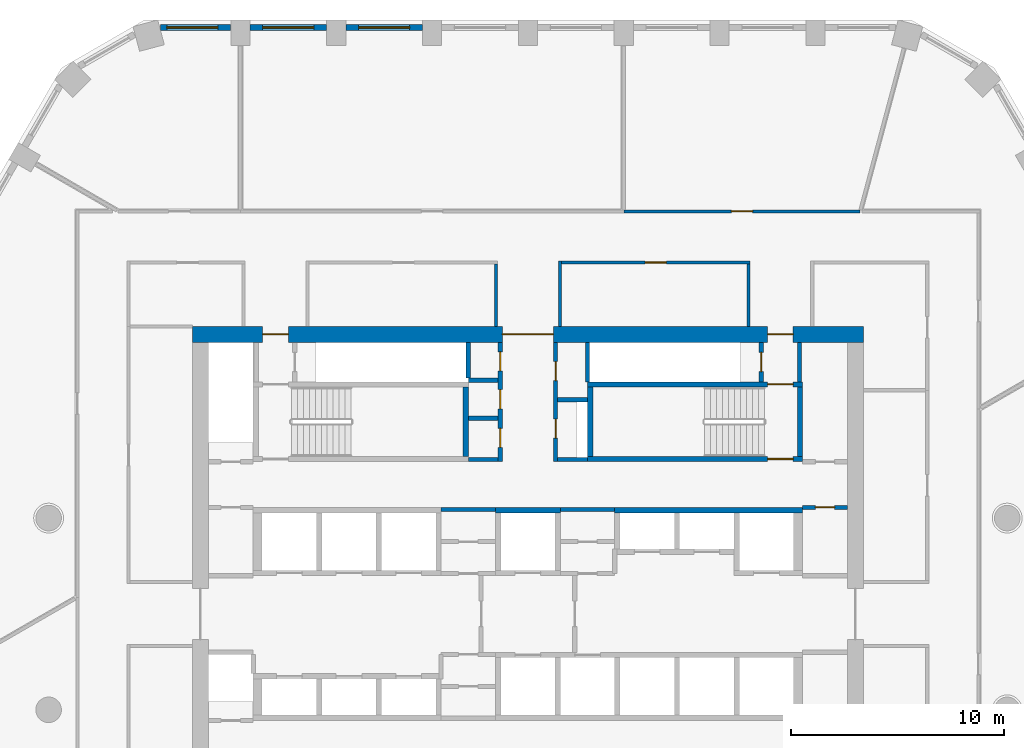
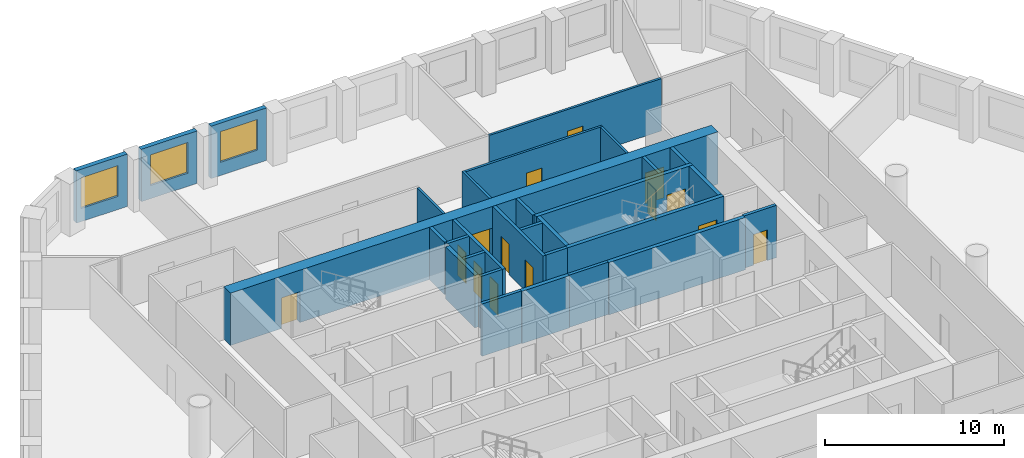
# One storey, part 7 of 14: 30 walls, 14 doors, 3 windows, 17 openings.
"""IFC4 building model written with IfcOpenShell, lengths in metres."""

from ifc_helpers import new_model, si_unit, direction, frame, frame_2d, origin, place, context, subcontext, project, spatial, polyline, rectangle, outline, extrude, material, layer, layer_set, type_object, element, fill, save


model = new_model("IFC4")

# Units and contexts
model_context = context("Model", 3, precision=1e-05, world=origin(), true_north=direction((0.0, 1.0)))
body_context = subcontext(model_context, "Body", "Model", "MODEL_VIEW")
ifc_project = project(units=[si_unit("LENGTHUNIT", "METRE"), si_unit("AREAUNIT", "SQUARE_METRE"), si_unit("VOLUMEUNIT", "CUBIC_METRE"), si_unit("PLANEANGLEUNIT", "RADIAN"), si_unit("MASSUNIT", "GRAM", prefix="KILO")], contexts=[model_context])

# Site, building, storey
site_placement = place(None, origin())
site = spatial("IfcSite", under=ifc_project, at=site_placement, CompositionType="ELEMENT")
building_placement = place(site_placement, origin())
building = spatial("IfcBuilding", under=site, at=building_placement, Name="Dhurran Vertical Campus", CompositionType="ELEMENT")
storey_placement = place(building_placement, frame((0.0, 0.0, 136.5)))
storey = spatial("IfcBuildingStorey", under=building, at=storey_placement, Name="L33", CompositionType="ELEMENT", Elevation=136.5)

# Wall, opening, window
ifc_material_1 = material(Name="Precast concrete C50/60", Category="concrete")
ifc_layer_1 = layer(ifc_material_1, 0.300048828125)
ifc_layer_set_1 = layer_set([ifc_layer_1], Name="Precast concrete C50/60")
wall_type_1 = type_object("IfcWallType", Name="Precast spandrel wall 300", PredefinedType="SOLIDWALL", material=ifc_layer_set_1)
wall_1_placement = place(storey_placement, frame((-4.950439453125, 27.53271484375, 0.0), z_axis=(0.0, 0.0, 1.0), x_axis=(-1.0, 0.0, 0.0)))
wall_1 = element("IfcWall", 1, at=wall_1_placement, inside=storey, type_object=wall_type_1, Name="EW1 L33.28", PredefinedType="SOLIDWALL", context=body_context, shape_type="SweptSolid", body=[
    extrude(rectangle(XDim=3.59912109375, YDim=0.300048828125, at=frame_2d((1.799560546875, 0.0))), origin(), (0.0, 0.0, 1.0), 3.574951171875),
])
opening_1_placement = place(wall_1_placement, frame((0.599609375, 0.0, 0.89990234375)))
opening_1 = element("IfcOpeningElement", 2, at=opening_1_placement, cuts=wall_1, Name="Opening WT1", PredefinedType="OPENING", context=body_context, shape_type="SweptSolid", body=[
    extrude(rectangle(XDim=2.39990234375, YDim=2.10009765625, at=frame_2d((1.199951171875, 1.050048828125))), frame((0.0, 0.159912109375, 0.0), z_axis=(0.0, -1.0, 0.0), x_axis=(1.0, 0.0, 0.0)), (0.0, 0.0, 1.0), 0.320068359375),
])
ifc_material_2 = material(Name="Aluminium frame with solar-control glass", Category="aluminium")
window_type = type_object("IfcWindowType", Name="Punched window 2400 x 2100", PartitioningType="SINGLE_PANEL", PredefinedType="WINDOW", material=ifc_material_2)
window_1_placement = place(opening_1_placement, origin())
window_1 = element("IfcWindow", 3, at=window_1_placement, inside=storey, type_object=window_type, Name="WT1 L33.28", OverallHeight=2.10009765625, OverallWidth=2.39990234375, PartitioningType="SINGLE_PANEL", PredefinedType="WINDOW", context=body_context, shape_type="SweptSolid", body=[
    extrude(rectangle(XDim=2.39990234375, YDim=2.10009765625, at=frame_2d((1.199951171875, 1.050048828125))), frame((0.0, 0.030029296875, 0.0), z_axis=(0.0, -1.0, 0.0), x_axis=(1.0, 0.0, 0.0)), (0.0, 0.0, 1.0), 0.06005859375),
])
fill(opening_1, window_1)

wall_2_placement = place(storey_placement, frame((-9.450439453125, 27.53271484375, 0.0), z_axis=(0.0, 0.0, 1.0), x_axis=(-1.0, 0.0, 0.0)))
wall_2 = element("IfcWall", 4, at=wall_2_placement, inside=storey, type_object=wall_type_1, Name="EW1 L33.29", PredefinedType="SOLIDWALL", context=body_context, shape_type="SweptSolid", body=[
    extrude(rectangle(XDim=3.59912109375, YDim=0.300048828125, at=frame_2d((1.799560546875, 0.0))), origin(), (0.0, 0.0, 1.0), 3.574951171875),
])
opening_2_placement = place(wall_2_placement, frame((0.599609375, 0.0, 0.89990234375)))
opening_2 = element("IfcOpeningElement", 5, at=opening_2_placement, cuts=wall_2, Name="Opening WT1", PredefinedType="OPENING", context=body_context, shape_type="SweptSolid", body=[
    extrude(rectangle(XDim=2.39990234375, YDim=2.10009765625, at=frame_2d((1.199951171875, 1.050048828125))), frame((0.0, 0.159912109375, 0.0), z_axis=(0.0, -1.0, 0.0), x_axis=(1.0, 0.0, 0.0)), (0.0, 0.0, 1.0), 0.320068359375),
])
window_2_placement = place(opening_2_placement, origin())
window_2 = element("IfcWindow", 6, at=window_2_placement, inside=storey, type_object=window_type, Name="WT1 L33.29", OverallHeight=2.10009765625, OverallWidth=2.39990234375, PartitioningType="SINGLE_PANEL", PredefinedType="WINDOW", context=body_context, shape_type="SweptSolid", body=[
    extrude(rectangle(XDim=2.39990234375, YDim=2.10009765625, at=frame_2d((1.199951171875, 1.050048828125))), frame((0.0, 0.030029296875, 0.0), z_axis=(0.0, -1.0, 0.0), x_axis=(1.0, 0.0, 0.0)), (0.0, 0.0, 1.0), 0.06005859375),
])
fill(opening_2, window_2)

wall_3_placement = place(storey_placement, frame((-13.950439453125, 27.53271484375, 0.0), z_axis=(0.0, 0.0, 1.0), x_axis=(-1.0, 0.0, 0.0)))
wall_3 = element("IfcWall", 7, at=wall_3_placement, inside=storey, type_object=wall_type_1, Name="EW1 L33.30", PredefinedType="SOLIDWALL", context=body_context, shape_type="SweptSolid", body=[
    extrude(rectangle(XDim=3.294189453125, YDim=0.300048828125, at=frame_2d((1.64697265625, 0.0))), origin(), (0.0, 0.0, 1.0), 3.574951171875),
])
opening_3_placement = place(wall_3_placement, frame((0.599609375, 0.0, 0.89990234375)))
opening_3 = element("IfcOpeningElement", 8, at=opening_3_placement, cuts=wall_3, Name="Opening WT1", PredefinedType="OPENING", context=body_context, shape_type="SweptSolid", body=[
    extrude(rectangle(XDim=2.39990234375, YDim=2.10009765625, at=frame_2d((1.199951171875, 1.050048828125))), frame((0.0, 0.159912109375, 0.0), z_axis=(0.0, -1.0, 0.0), x_axis=(1.0, 0.0, 0.0)), (0.0, 0.0, 1.0), 0.320068359375),
])
window_3_placement = place(opening_3_placement, origin())
window_3 = element("IfcWindow", 9, at=window_3_placement, inside=storey, type_object=window_type, Name="WT1 L33.30", OverallHeight=2.10009765625, OverallWidth=2.39990234375, PartitioningType="SINGLE_PANEL", PredefinedType="WINDOW", context=body_context, shape_type="SweptSolid", body=[
    extrude(rectangle(XDim=2.39990234375, YDim=2.10009765625, at=frame_2d((1.199951171875, 1.050048828125))), frame((0.0, 0.030029296875, 0.0), z_axis=(0.0, -1.0, 0.0), x_axis=(1.0, 0.0, 0.0)), (0.0, 0.0, 1.0), 0.06005859375),
])
fill(opening_3, window_3)

# Wall, openings, doors
ifc_material_3 = material(Name="Concrete C60/75", Category="concrete")
ifc_layer_2 = layer(ifc_material_3, 0.75)
ifc_layer_set_2 = layer_set([ifc_layer_2], Name="Concrete C60/75")
wall_type_2 = type_object("IfcWallType", Name="co-CORE-WALL-C1-750", PredefinedType="SHEAR", material=ifc_layer_set_2)
wall_4_placement = place(storey_placement, frame((-15.75, 13.125, 0.0), z_axis=(0.0, 0.0, 1.0), x_axis=(1.0, 0.0, 0.0)))
wall_4 = element("IfcWall", 10, at=wall_4_placement, inside=storey, type_object=wall_type_2, Name="Core wall N L33", PredefinedType="SHEAR", context=body_context, shape_type="SweptSolid", body=[
    extrude(rectangle(XDim=31.5, YDim=0.75, at=frame_2d((15.75, 0.0))), origin(), (0.0, 0.0, 1.0), 3.574951171875),
])
opening_4_placement = place(wall_4_placement, frame((14.550048828125, 0.0, 0.0)))
opening_4 = element("IfcOpeningElement", 11, at=opening_4_placement, cuts=wall_4, Name="Opening CV1", PredefinedType="OPENING", context=body_context, shape_type="SweptSolid", body=[
    extrude(rectangle(XDim=2.39990234375, YDim=2.10009765625, at=frame_2d((1.199951171875, 1.050048828125))), frame((0.0, 0.385009765625, 0.0), z_axis=(0.0, -1.0, 0.0), x_axis=(1.0, 0.0, 0.0)), (0.0, 0.0, 1.0), 0.77001953125),
])
opening_5_placement = place(wall_4_placement, frame((3.300048828125, 0.0, 0.0)))
opening_5 = element("IfcOpeningElement", 12, at=opening_5_placement, cuts=wall_4, Name="Opening XD1", PredefinedType="OPENING", context=body_context, shape_type="SweptSolid", body=[
    extrude(rectangle(XDim=1.199951171875, YDim=2.10009765625, at=frame_2d((0.60009765625, 1.050048828125))), frame((0.0, 0.385009765625, 0.0), z_axis=(0.0, -1.0, 0.0), x_axis=(1.0, 0.0, 0.0)), (0.0, 0.0, 1.0), 0.77001953125),
])
opening_6_placement = place(wall_4_placement, frame((27.0, 0.0, 0.0)))
opening_6 = element("IfcOpeningElement", 13, at=opening_6_placement, cuts=wall_4, Name="Opening XD2", PredefinedType="OPENING", context=body_context, shape_type="SweptSolid", body=[
    extrude(rectangle(XDim=1.199951171875, YDim=2.10009765625, at=frame_2d((0.60009765625, 1.050048828125))), frame((0.0, 0.385009765625, 0.0), z_axis=(0.0, -1.0, 0.0), x_axis=(1.0, 0.0, 0.0)), (0.0, 0.0, 1.0), 0.77001953125),
])
ifc_material_4 = material(Name="Fire-rated glazed door set")
door_type_1 = type_object("IfcDoorType", Name="co-D-LOBBY 2400x2100", OperationType="DOUBLE_DOOR_DOUBLE_SWING", PredefinedType="DOOR", material=ifc_material_4)
door_1_placement = place(opening_4_placement, origin())
door_1 = element("IfcDoor", 14, at=door_1_placement, inside=storey, type_object=door_type_1, Name="Core vestibule door N L33", OperationType="DOUBLE_DOOR_DOUBLE_SWING", OverallHeight=2.10009765625, OverallWidth=2.39990234375, PredefinedType="DOOR", context=body_context, shape_type="SweptSolid", body=[
    extrude(rectangle(XDim=2.39990234375, YDim=2.10009765625, at=frame_2d((1.199951171875, 1.050048828125))), frame((0.0, 0.02490234375, 0.0), z_axis=(0.0, -1.0, 0.0), x_axis=(1.0, 0.0, 0.0)), (0.0, 0.0, 1.0), 0.050048828125),
])
fill(opening_4, door_1)
ifc_material_5 = material(Name="Fire-rated steel door set", Category="steel")
door_type_2 = type_object("IfcDoorType", Name="co-D-STAIR-EXIT 1200x2100", OperationType="SINGLE_SWING_RIGHT", PredefinedType="DOOR", material=ifc_material_5)
door_2_placement = place(opening_5_placement, origin())
door_2 = element("IfcDoor", 15, at=door_2_placement, inside=storey, type_object=door_type_2, Name="Stair ST1 exit door L33", OperationType="SINGLE_SWING_RIGHT", OverallHeight=2.10009765625, OverallWidth=1.199951171875, PredefinedType="DOOR", context=body_context, shape_type="SweptSolid", body=[
    extrude(rectangle(XDim=1.199951171875, YDim=2.10009765625, at=frame_2d((0.60009765625, 1.050048828125))), frame((0.0, 0.02490234375, 0.0), z_axis=(0.0, -1.0, 0.0), x_axis=(1.0, 0.0, 0.0)), (0.0, 0.0, 1.0), 0.050048828125),
])
fill(opening_5, door_2)
door_3_placement = place(opening_6_placement, origin())
door_3 = element("IfcDoor", 16, at=door_3_placement, inside=storey, type_object=door_type_2, Name="Stair ST2 exit door L33", OperationType="SINGLE_SWING_RIGHT", OverallHeight=2.10009765625, OverallWidth=1.199951171875, PredefinedType="DOOR", context=body_context, shape_type="SweptSolid", body=[
    extrude(rectangle(XDim=1.199951171875, YDim=2.10009765625, at=frame_2d((0.60009765625, 1.050048828125))), frame((0.0, 0.02490234375, 0.0), z_axis=(0.0, -1.0, 0.0), x_axis=(1.0, 0.0, 0.0)), (0.0, 0.0, 1.0), 0.050048828125),
])
fill(opening_6, door_3)

# Walls
ifc_material_6 = material(Name="Fire-rated masonry blockwork", Category="masonry")
ifc_layer_3 = layer(ifc_material_6, 0.199951171875)
ifc_layer_set_3 = layer_set([ifc_layer_3], Name="Fire-rated masonry blockwork")
wall_type_3 = type_object("IfcWallType", Name="co-FIRE-PARTITION-200", PredefinedType="PARTITIONING", material=ifc_layer_set_3)
for number, where, z_axis, x_axis, name in (
    (17, (-2.800048828125, 7.25, 0.0), (0.0, 0.0, 1.0), (1.0, 0.0, 0.0), "Core partition sl-NW-S L33"),
    (18, (-2.800048828125, 9.18603515625, 0.0), (0.0, 0.0, 1.0), (1.0, 0.0, 0.0), "Core partition sl-NW-cut0 L33"),
    (19, (-2.800048828125, 10.968017578125, 0.0), (0.0, 0.0, 1.0), (1.0, 0.0, 0.0), "Core partition sl-NW-cut1 L33"),
    (20, (1.39990234375, 7.25, 0.0), (0.0, 0.0, 1.0), (1.0, 0.0, 0.0), "Core partition sl-NE-S L33"),
    (21, (1.39990234375, 10.050048828125, 0.0), (0.0, 0.0, 1.0), (1.0, 0.0, 0.0), "Core partition sl-NE-cut0 L33"),
):
    element("IfcWall", number, at=place(storey_placement, frame(where, z_axis=z_axis, x_axis=x_axis)), inside=storey, type_object=wall_type_3, Name=name, PredefinedType="PARTITIONING", context=body_context, shape_type="SweptSolid", body=[
        extrude(rectangle(XDim=1.400146484375, YDim=0.199951171875, at=frame_2d((0.7001953125, 0.0))), origin(), (0.0, 0.0, 1.0), 3.574951171875),
    ])

# Wall, openings, doors
wall_5_placement = place(storey_placement, frame((-1.300048828125, 7.14990234375, 0.0), z_axis=(0.0, 0.0, 1.0), x_axis=(0.0, 1.0, 0.0)))
wall_5 = element("IfcWall", 22, at=wall_5_placement, inside=storey, type_object=wall_type_3, Name="Core partition vest-NW L33", PredefinedType="PARTITIONING", context=body_context, shape_type="SweptSolid", body=[
    extrude(rectangle(XDim=5.60009765625, YDim=0.199951171875, at=frame_2d((2.800048828125, 0.0))), origin(), (0.0, 0.0, 1.0), 3.574951171875),
])
opening_7_placement = place(wall_5_placement, frame((0.66796875, 0.0, 0.0)))
opening_7 = element("IfcOpeningElement", 23, at=opening_7_placement, cuts=wall_5, Name="Opening T09-C6", PredefinedType="OPENING", context=body_context, shape_type="SweptSolid", body=[
    extrude(rectangle(XDim=0.89990234375, YDim=2.10009765625, at=frame_2d((0.449951171875, 1.050048828125))), frame((0.0, 0.10986328125, 0.0), z_axis=(0.0, -1.0, 0.0), x_axis=(1.0, 0.0, 0.0)), (0.0, 0.0, 1.0), 0.219970703125),
])
opening_8_placement = place(wall_5_placement, frame((2.47705078125, 0.0, 0.0)))
opening_8 = element("IfcOpeningElement", 24, at=opening_8_placement, cuts=wall_5, Name="Opening T09-C7", PredefinedType="OPENING", context=body_context, shape_type="SweptSolid", body=[
    extrude(rectangle(XDim=0.89990234375, YDim=2.10009765625, at=frame_2d((0.449951171875, 1.050048828125))), frame((0.0, 0.10986328125, 0.0), z_axis=(0.0, -1.0, 0.0), x_axis=(1.0, 0.0, 0.0)), (0.0, 0.0, 1.0), 0.219970703125),
])
opening_9_placement = place(wall_5_placement, frame((4.259033203125, 0.0, 0.0)))
opening_9 = element("IfcOpeningElement", 25, at=opening_9_placement, cuts=wall_5, Name="Opening T09-C8", PredefinedType="OPENING", context=body_context, shape_type="SweptSolid", body=[
    extrude(rectangle(XDim=0.89990234375, YDim=2.10009765625, at=frame_2d((0.449951171875, 1.050048828125))), frame((0.0, 0.10986328125, 0.0), z_axis=(0.0, -1.0, 0.0), x_axis=(1.0, 0.0, 0.0)), (0.0, 0.0, 1.0), 0.219970703125),
])
ifc_material_7 = material(Name="Fire-rated timber door set", Category="wood")
door_type_3 = type_object("IfcDoorType", Name="co-D-ROOM 900x2100", OperationType="SINGLE_SWING_LEFT", PredefinedType="DOOR", material=ifc_material_7)
door_4_placement = place(opening_7_placement, origin())
door_4 = element("IfcDoor", 26, at=door_4_placement, inside=storey, type_object=door_type_3, Name="Cleaner's store door L33", OperationType="SINGLE_SWING_LEFT", OverallHeight=2.10009765625, OverallWidth=0.89990234375, PredefinedType="DOOR", context=body_context, shape_type="SweptSolid", body=[
    extrude(rectangle(XDim=0.89990234375, YDim=2.10009765625, at=frame_2d((0.449951171875, 1.050048828125))), frame((0.0, 0.02490234375, 0.0), z_axis=(0.0, -1.0, 0.0), x_axis=(1.0, 0.0, 0.0)), (0.0, 0.0, 1.0), 0.050048828125),
])
fill(opening_7, door_4)
door_5_placement = place(opening_8_placement, origin())
door_5 = element("IfcDoor", 27, at=door_5_placement, inside=storey, type_object=door_type_3, Name="Store door L33", OperationType="SINGLE_SWING_LEFT", OverallHeight=2.10009765625, OverallWidth=0.89990234375, PredefinedType="DOOR", context=body_context, shape_type="SweptSolid", body=[
    extrude(rectangle(XDim=0.89990234375, YDim=2.10009765625, at=frame_2d((0.449951171875, 1.050048828125))), frame((0.0, 0.02490234375, 0.0), z_axis=(0.0, -1.0, 0.0), x_axis=(1.0, 0.0, 0.0)), (0.0, 0.0, 1.0), 0.050048828125),
])
fill(opening_8, door_5)
door_6_placement = place(opening_9_placement, origin())
door_6 = element("IfcDoor", 28, at=door_6_placement, inside=storey, type_object=door_type_3, Name="Housekeeping store door L33", OperationType="SINGLE_SWING_LEFT", OverallHeight=2.10009765625, OverallWidth=0.89990234375, PredefinedType="DOOR", context=body_context, shape_type="SweptSolid", body=[
    extrude(rectangle(XDim=0.89990234375, YDim=2.10009765625, at=frame_2d((0.449951171875, 1.050048828125))), frame((0.0, 0.02490234375, 0.0), z_axis=(0.0, -1.0, 0.0), x_axis=(1.0, 0.0, 0.0)), (0.0, 0.0, 1.0), 0.050048828125),
])
fill(opening_9, door_6)

wall_6_placement = place(storey_placement, frame((1.300048828125, 7.14990234375, 0.0), z_axis=(0.0, 0.0, 1.0), x_axis=(0.0, 1.0, 0.0)))
wall_6 = element("IfcWall", 29, at=wall_6_placement, inside=storey, type_object=wall_type_3, Name="Core partition vest-NE L33", PredefinedType="PARTITIONING", context=body_context, shape_type="SweptSolid", body=[
    extrude(rectangle(XDim=5.60009765625, YDim=0.199951171875, at=frame_2d((2.800048828125, 0.0))), origin(), (0.0, 0.0, 1.0), 3.574951171875),
])
opening_10_placement = place(wall_6_placement, frame((1.10009765625, 0.0, 0.0)))
opening_10 = element("IfcOpeningElement", 30, at=opening_10_placement, cuts=wall_6, Name="Opening T09-C9", PredefinedType="OPENING", context=body_context, shape_type="SweptSolid", body=[
    extrude(rectangle(XDim=0.89990234375, YDim=2.10009765625, at=frame_2d((0.449951171875, 1.050048828125))), frame((0.0, 0.10986328125, 0.0), z_axis=(0.0, -1.0, 0.0), x_axis=(1.0, 0.0, 0.0)), (0.0, 0.0, 1.0), 0.219970703125),
])
opening_11_placement = place(wall_6_placement, frame((3.800048828125, 0.0, 0.0)))
opening_11 = element("IfcOpeningElement", 31, at=opening_11_placement, cuts=wall_6, Name="Opening T09-C10", PredefinedType="OPENING", context=body_context, shape_type="SweptSolid", body=[
    extrude(rectangle(XDim=0.89990234375, YDim=2.10009765625, at=frame_2d((0.449951171875, 1.050048828125))), frame((0.0, 0.10986328125, 0.0), z_axis=(0.0, -1.0, 0.0), x_axis=(1.0, 0.0, 0.0)), (0.0, 0.0, 1.0), 0.219970703125),
])
door_7_placement = place(opening_10_placement, origin())
door_7 = element("IfcDoor", 32, at=door_7_placement, inside=storey, type_object=door_type_3, Name="Water riser door L33", OperationType="SINGLE_SWING_LEFT", OverallHeight=2.10009765625, OverallWidth=0.89990234375, PredefinedType="DOOR", context=body_context, shape_type="SweptSolid", body=[
    extrude(rectangle(XDim=0.89990234375, YDim=2.10009765625, at=frame_2d((0.449951171875, 1.050048828125))), frame((0.0, 0.02490234375, 0.0), z_axis=(0.0, -1.0, 0.0), x_axis=(1.0, 0.0, 0.0)), (0.0, 0.0, 1.0), 0.050048828125),
])
fill(opening_10, door_7)
door_8_placement = place(opening_11_placement, origin())
door_8 = element("IfcDoor", 33, at=door_8_placement, inside=storey, type_object=door_type_3, Name="Plant room door L33", OperationType="SINGLE_SWING_LEFT", OverallHeight=2.10009765625, OverallWidth=0.89990234375, PredefinedType="DOOR", context=body_context, shape_type="SweptSolid", body=[
    extrude(rectangle(XDim=0.89990234375, YDim=2.10009765625, at=frame_2d((0.449951171875, 1.050048828125))), frame((0.0, 0.02490234375, 0.0), z_axis=(0.0, -1.0, 0.0), x_axis=(1.0, 0.0, 0.0)), (0.0, 0.0, 1.0), 0.050048828125),
])
fill(opening_11, door_8)

# Wall
wall_7_placement = place(storey_placement, frame((12.75, 10.89990234375, 0.0), z_axis=(0.0, 0.0, 1.0), x_axis=(0.0, 1.0, 0.0)))
element("IfcWall", 34, at=wall_7_placement, inside=storey, type_object=wall_type_3, Name="Core partition pass-ST2-o L33", PredefinedType="PARTITIONING", context=body_context, shape_type="SweptSolid", body=[
    extrude(rectangle(XDim=1.85009765625, YDim=0.199951171875, at=frame_2d((0.925048828125, 0.0))), origin(), (0.0, 0.0, 1.0), 3.574951171875),
])

# Wall, opening, door
wall_8_placement = place(storey_placement, frame((10.949951171875, 10.89990234375, 0.0), z_axis=(0.0, 0.0, 1.0), x_axis=(0.0, 1.0, 0.0)))
wall_8 = element("IfcWall", 35, at=wall_8_placement, inside=storey, type_object=wall_type_3, Name="Core partition pass-ST2-i L33", PredefinedType="PARTITIONING", context=body_context, shape_type="SweptSolid", body=[
    extrude(rectangle(XDim=1.85009765625, YDim=0.199951171875, at=frame_2d((0.925048828125, 0.0))), origin(), (0.0, 0.0, 1.0), 3.574951171875),
])
opening_12_placement = place(wall_8_placement, frame((0.47509765625, 0.0, 0.0)))
opening_12 = element("IfcOpeningElement", 36, at=opening_12_placement, cuts=wall_8, Name="Opening T09-C12", PredefinedType="OPENING", context=body_context, shape_type="SweptSolid", body=[
    extrude(rectangle(XDim=0.89990234375, YDim=2.10009765625, at=frame_2d((0.449951171875, 1.050048828125))), frame((0.0, 0.10986328125, 0.0), z_axis=(0.0, -1.0, 0.0), x_axis=(1.0, 0.0, 0.0)), (0.0, 0.0, 1.0), 0.219970703125),
])
door_9_placement = place(opening_12_placement, origin())
door_9 = element("IfcDoor", 37, at=door_9_placement, inside=storey, type_object=door_type_3, Name="Riser room door L33", OperationType="SINGLE_SWING_LEFT", OverallHeight=2.10009765625, OverallWidth=0.89990234375, PredefinedType="DOOR", context=body_context, shape_type="SweptSolid", body=[
    extrude(rectangle(XDim=0.89990234375, YDim=2.10009765625, at=frame_2d((0.449951171875, 1.050048828125))), frame((0.0, 0.02490234375, 0.0), z_axis=(0.0, -1.0, 0.0), x_axis=(1.0, 0.0, 0.0)), (0.0, 0.0, 1.0), 0.050048828125),
])
fill(opening_12, door_9)

wall_9_placement = place(storey_placement, frame((12.89990234375, 5.0, 0.0), z_axis=(0.0, 0.0, 1.0), x_axis=(1.0, 0.0, 0.0)))
wall_9 = element("IfcWall", 38, at=wall_9_placement, inside=storey, type_object=wall_type_3, Name="Core partition es-NE-w L33", PredefinedType="PARTITIONING", context=body_context, shape_type="SweptSolid", body=[
    extrude(rectangle(XDim=2.10009765625, YDim=0.199951171875, at=frame_2d((1.050048828125, 0.0))), origin(), (0.0, 0.0, 1.0), 3.574951171875),
])
opening_13_placement = place(wall_9_placement, frame((0.60009765625, 0.0, 0.0)))
opening_13 = element("IfcOpeningElement", 39, at=opening_13_placement, cuts=wall_9, Name="Opening T09-C18", PredefinedType="OPENING", context=body_context, shape_type="SweptSolid", body=[
    extrude(rectangle(XDim=0.89990234375, YDim=2.10009765625, at=frame_2d((0.449951171875, 1.050048828125))), frame((0.0, 0.10986328125, 0.0), z_axis=(0.0, -1.0, 0.0), x_axis=(1.0, 0.0, 0.0)), (0.0, 0.0, 1.0), 0.219970703125),
])
door_10_placement = place(opening_13_placement, origin())
door_10 = element("IfcDoor", 40, at=door_10_placement, inside=storey, type_object=door_type_3, Name="Communications room door L33", OperationType="SINGLE_SWING_LEFT", OverallHeight=2.10009765625, OverallWidth=0.89990234375, PredefinedType="DOOR", context=body_context, shape_type="SweptSolid", body=[
    extrude(rectangle(XDim=0.89990234375, YDim=2.10009765625, at=frame_2d((0.449951171875, 1.050048828125))), frame((0.0, 0.02490234375, 0.0), z_axis=(0.0, -1.0, 0.0), x_axis=(1.0, 0.0, 0.0)), (0.0, 0.0, 1.0), 0.050048828125),
])
fill(opening_13, door_10)

# Walls
for number, where, z_axis, x_axis, name in (
    (41, (-4.074951171875, 4.89990234375, 0.0), (0.0, 0.0, 1.0), (1.0, 0.0, 0.0), "Core partition fr-N0-b L33"),
    (42, (1.52490234375, 4.89990234375, 0.0), (0.0, 0.0, 1.0), (1.0, 0.0, 0.0), "Core partition fr-N1-b L33"),
):
    element("IfcWall", number, at=place(storey_placement, frame(where, z_axis=z_axis, x_axis=x_axis)), inside=storey, type_object=wall_type_3, Name=name, PredefinedType="PARTITIONING", context=body_context, shape_type="SweptSolid", body=[
        extrude(rectangle(XDim=2.550048828125, YDim=0.199951171875, at=frame_2d((1.27490234375, 0.0))), origin(), (0.0, 0.0, 1.0), 3.574951171875),
    ])
wall_10_placement = place(storey_placement, frame((-2.800048828125, 11.069091796875, 0.0), z_axis=(0.0, 0.0, 1.0), x_axis=(0.0, 1.0, 0.0)))
element("IfcWall", 43, at=wall_10_placement, inside=storey, type_object=wall_type_3, Name="Riser enclosure wall L33", PredefinedType="PARTITIONING", context=body_context, shape_type="SweptSolid", body=[
    extrude(rectangle(XDim=1.679931640625, YDim=0.199951171875, at=frame_2d((0.83984375, 0.0))), origin(), (0.0, 0.0, 1.0), 3.574951171875),
])
wall_11_placement = place(storey_placement, frame((2.800048828125, 12.7490234375, 0.0), z_axis=(0.0, 0.0, 1.0), x_axis=(0.0, -1.0, 0.0)))
element("IfcWall", 44, at=wall_11_placement, inside=storey, type_object=wall_type_3, Name="Riser enclosure wall L33", PredefinedType="PARTITIONING", context=body_context, shape_type="SweptSolid", body=[
    extrude(rectangle(XDim=1.84814453125, YDim=0.199951171875, at=frame_2d((0.924072265625, 0.0))), origin(), (0.0, 0.0, 1.0), 3.574951171875),
])
ifc_material_8 = material(Name="Concrete C50/60", Category="concrete")
ifc_layer_4 = layer(ifc_material_8, 0.25)
ifc_layer_set_4 = layer_set([ifc_layer_4], Name="Concrete C50/60")
wall_type_4 = type_object("IfcWallType", Name="co-SHAFT-MASS-250", PredefinedType="SHEAR", material=ifc_layer_set_4)
wall_12_placement = place(storey_placement, origin())
element("IfcWall", 45, at=wall_12_placement, inside=storey, type_object=wall_type_4, Name="Lift shaft wall N L33 2", PredefinedType="SHEAR", context=body_context, shape_type="SweptSolid", body=[
    extrude(outline(polyline([(-1.52490234375, 4.75), (1.52490234375, 4.75), (1.52490234375, 5.0), (-1.52490234375, 5.0), (-1.52490234375, 4.75)])), origin(), (0.0, 0.0, 1.0), 3.574951171875),
])
wall_13_placement = place(storey_placement, origin())
element("IfcWall", 46, at=wall_13_placement, inside=storey, type_object=wall_type_4, Name="Lift shaft wall N L33 3", PredefinedType="SHEAR", context=body_context, shape_type="SweptSolid", body=[
    extrude(outline(polyline([(4.074951171875, 4.75), (12.89990234375, 4.75), (12.89990234375, 5.0), (4.074951171875, 5.0), (4.074951171875, 4.75)])), origin(), (0.0, 0.0, 1.0), 3.574951171875),
])
ifc_material_9 = material(Name="Concrete C40/50", Category="concrete")
ifc_layer_5 = layer(ifc_material_9, 0.25)
ifc_layer_set_5 = layer_set([ifc_layer_5], Name="Concrete C40/50")
wall_type_5 = type_object("IfcWallType", Name="co-STAIR-WALL-250", PredefinedType="SHEAR", material=ifc_layer_set_5)
wall_14_placement = place(storey_placement, frame((-2.925048828125, 7.39990234375, 0.0), z_axis=(0.0, 0.0, 1.0), x_axis=(0.0, 1.0, 0.0)))
element("IfcWall", 47, at=wall_14_placement, inside=storey, type_object=wall_type_5, Name="Stair ST1 enclosure wall L33", PredefinedType="SHEAR", context=body_context, shape_type="SweptSolid", body=[
    extrude(rectangle(XDim=3.25, YDim=0.25, at=frame_2d((1.625, 0.0))), origin(), (0.0, 0.0, 1.0), 3.574951171875),
])

# Wall, opening, door
wall_15_placement = place(storey_placement, frame((2.800048828125, 7.27490234375, 0.0), z_axis=(0.0, 0.0, 1.0), x_axis=(1.0, 0.0, 0.0)))
wall_15 = element("IfcWall", 48, at=wall_15_placement, inside=storey, type_object=wall_type_5, Name="Stair ST2 enclosure wall L33", PredefinedType="SHEAR", context=body_context, shape_type="SweptSolid", body=[
    extrude(rectangle(XDim=10.099853515625, YDim=0.25, at=frame_2d((5.0498046875, 0.0))), origin(), (0.0, 0.0, 1.0), 3.574951171875),
])
opening_14_placement = place(wall_15_placement, frame((8.449951171875, 0.0, 0.0)))
opening_14 = element("IfcOpeningElement", 49, at=opening_14_placement, cuts=wall_15, Name="Opening SD2", PredefinedType="OPENING", context=body_context, shape_type="SweptSolid", body=[
    extrude(rectangle(XDim=1.199951171875, YDim=2.10009765625, at=frame_2d((0.60009765625, 1.050048828125))), frame((0.0, 0.135009765625, 0.0), z_axis=(0.0, -1.0, 0.0), x_axis=(1.0, 0.0, 0.0)), (0.0, 0.0, 1.0), 0.27001953125),
])
ifc_material_10 = material(Name="Fire-rated steel door set", Category="steel")
door_type_4 = type_object("IfcDoorType", Name="co-D-STAIR 1200x2100", OperationType="SINGLE_SWING_LEFT", PredefinedType="DOOR", material=ifc_material_10)
door_11_placement = place(opening_14_placement, origin())
door_11 = element("IfcDoor", 50, at=door_11_placement, inside=storey, type_object=door_type_4, Name="Stair ST2 door L33", OperationType="SINGLE_SWING_LEFT", OverallHeight=2.10009765625, OverallWidth=1.199951171875, PredefinedType="DOOR", context=body_context, shape_type="SweptSolid", body=[
    extrude(rectangle(XDim=1.199951171875, YDim=2.10009765625, at=frame_2d((0.60009765625, 1.050048828125))), frame((0.0, 0.02490234375, 0.0), z_axis=(0.0, -1.0, 0.0), x_axis=(1.0, 0.0, 0.0)), (0.0, 0.0, 1.0), 0.050048828125),
])
fill(opening_14, door_11)

wall_16_placement = place(storey_placement, frame((2.800048828125, 10.77490234375, 0.0), z_axis=(0.0, 0.0, 1.0), x_axis=(1.0, 0.0, 0.0)))
wall_16 = element("IfcWall", 51, at=wall_16_placement, inside=storey, type_object=wall_type_5, Name="Stair ST2 enclosure wall L33", PredefinedType="SHEAR", context=body_context, shape_type="SweptSolid", body=[
    extrude(rectangle(XDim=10.099853515625, YDim=0.25, at=frame_2d((5.0498046875, 0.0))), origin(), (0.0, 0.0, 1.0), 3.574951171875),
])
opening_15_placement = place(wall_16_placement, frame((8.449951171875, 0.0, 0.0)))
opening_15 = element("IfcOpeningElement", 52, at=opening_15_placement, cuts=wall_16, Name="Opening XS2", PredefinedType="OPENING", context=body_context, shape_type="SweptSolid", body=[
    extrude(rectangle(XDim=1.199951171875, YDim=2.10009765625, at=frame_2d((0.60009765625, 1.050048828125))), frame((0.0, 0.135009765625, 0.0), z_axis=(0.0, -1.0, 0.0), x_axis=(1.0, 0.0, 0.0)), (0.0, 0.0, 1.0), 0.27001953125),
])
door_12_placement = place(opening_15_placement, origin())
door_12 = element("IfcDoor", 53, at=door_12_placement, inside=storey, type_object=door_type_2, Name="Stair ST2 discharge door L33", OperationType="SINGLE_SWING_RIGHT", OverallHeight=2.10009765625, OverallWidth=1.199951171875, PredefinedType="DOOR", context=body_context, shape_type="SweptSolid", body=[
    extrude(rectangle(XDim=1.199951171875, YDim=2.10009765625, at=frame_2d((0.60009765625, 1.050048828125))), frame((0.0, 0.02490234375, 0.0), z_axis=(0.0, -1.0, 0.0), x_axis=(1.0, 0.0, 0.0)), (0.0, 0.0, 1.0), 0.050048828125),
])
fill(opening_15, door_12)

# Walls
for number, where, z_axis, x_axis, name in (
    (54, (2.925048828125, 7.39990234375, 0.0), (0.0, 0.0, 1.0), (0.0, 1.0, 0.0), "Stair ST2 enclosure wall L33"),
    (55, (12.77490234375, 7.39990234375, 0.0), (0.0, 0.0, 1.0), (0.0, 1.0, 0.0), "Stair ST2 enclosure wall L33"),
):
    element("IfcWall", number, at=place(storey_placement, frame(where, z_axis=z_axis, x_axis=x_axis)), inside=storey, type_object=wall_type_5, Name=name, PredefinedType="SHEAR", context=body_context, shape_type="SweptSolid", body=[
        extrude(rectangle(XDim=3.25, YDim=0.25, at=frame_2d((1.625, 0.0))), origin(), (0.0, 0.0, 1.0), 3.574951171875),
    ])
ifc_material_11 = material(Name="Gypsum board corridor wall on steel studs", Category="steel")
ifc_layer_6 = layer(ifc_material_11, 0.14990234375)
ifc_layer_set_6 = layer_set([ifc_layer_6], Name="Gypsum board corridor wall on steel studs")
wall_type_6 = type_object("IfcWallType", Name="fl-CW-150 corridor wall", PredefinedType="PARTITIONING", material=ifc_layer_set_6)
wall_17_placement = place(storey_placement, frame((-1.5, 16.425048828125, 0.0), z_axis=(0.0, 0.0, 1.0), x_axis=(0.0, -1.0, 0.0)))
element("IfcWall", 56, at=wall_17_placement, inside=storey, type_object=wall_type_6, Name="Partition 33-33", PredefinedType="PARTITIONING", context=body_context, shape_type="SweptSolid", body=[
    extrude(rectangle(XDim=2.925048828125, YDim=0.14990234375, at=frame_2d((1.46240234375, 0.0))), origin(), (0.0, 0.0, 1.0), 3.574951171875),
])
wall_18_placement = place(storey_placement, frame((1.5, 13.5, 0.0), z_axis=(0.0, 0.0, 1.0), x_axis=(0.0, 1.0, 0.0)))
element("IfcWall", 57, at=wall_18_placement, inside=storey, type_object=wall_type_6, Name="Partition 33-36", PredefinedType="PARTITIONING", context=body_context, shape_type="SweptSolid", body=[
    extrude(rectangle(XDim=3.074951171875, YDim=0.14990234375, at=frame_2d((1.53759765625, 0.0))), origin(), (0.0, 0.0, 1.0), 3.574951171875),
])

# Wall, opening, door
wall_19_placement = place(storey_placement, frame((1.574951171875, 16.5, 0.0), z_axis=(0.0, 0.0, 1.0), x_axis=(1.0, 0.0, 0.0)))
wall_19 = element("IfcWall", 58, at=wall_19_placement, inside=storey, type_object=wall_type_6, Name="Partition 33-37", PredefinedType="PARTITIONING", context=body_context, shape_type="SweptSolid", body=[
    extrude(rectangle(XDim=8.85009765625, YDim=0.14990234375, at=frame_2d((4.425048828125, 0.0))), origin(), (0.0, 0.0, 1.0), 3.574951171875),
])
opening_16_placement = place(wall_19_placement, frame((3.925048828125, 0.0, 0.0)))
opening_16 = element("IfcOpeningElement", 59, at=opening_16_placement, cuts=wall_19, Name="Opening T09.15", PredefinedType="OPENING", context=body_context, shape_type="SweptSolid", body=[
    extrude(rectangle(XDim=1.0, YDim=2.10009765625, at=frame_2d((0.5, 1.050048828125))), frame((0.0, 0.0849609375, 0.0), z_axis=(0.0, -1.0, 0.0), x_axis=(1.0, 0.0, 0.0)), (0.0, 0.0, 1.0), 0.169921875),
])
ifc_material_12 = material(Name="Solid-core timber door set, fire-rated", Category="wood")
door_type_5 = type_object("IfcDoorType", Name="fl-D-1000x2100", OperationType="SINGLE_SWING_LEFT", PredefinedType="DOOR", material=ifc_material_12)
door_13_placement = place(opening_16_placement, origin())
door_13 = element("IfcDoor", 60, at=door_13_placement, inside=storey, type_object=door_type_5, Name="Door 33.15", OperationType="SINGLE_SWING_RIGHT", OverallHeight=2.10009765625, OverallWidth=1.0, PredefinedType="DOOR", context=body_context, shape_type="SweptSolid", body=[
    extrude(rectangle(XDim=1.0, YDim=2.10009765625, at=frame_2d((0.5, 1.050048828125))), frame((0.0, 0.02490234375, 0.0), z_axis=(0.0, -1.0, 0.0), x_axis=(1.0, 0.0, 0.0)), (0.0, 0.0, 1.0), 0.050048828125),
])
fill(opening_16, door_13)

wall_20_placement = place(storey_placement, frame((15.593017578125, 18.89990234375, 0.0), z_axis=(0.0, 0.0, 1.0), x_axis=(-1.0, 0.0, 0.0)))
wall_20 = element("IfcWall", 61, at=wall_20_placement, inside=storey, type_object=wall_type_6, Name="Partition 33-39", PredefinedType="PARTITIONING", context=body_context, shape_type="SweptSolid", body=[
    extrude(rectangle(XDim=11.093017578125, YDim=0.14990234375, at=frame_2d((5.54638671875, 0.0))), origin(), (0.0, 0.0, 1.0), 3.574951171875),
])
opening_17_placement = place(wall_20_placement, frame((5.04638671875, 0.0, 0.0)))
opening_17 = element("IfcOpeningElement", 62, at=opening_17_placement, cuts=wall_20, Name="Opening T09.16", PredefinedType="OPENING", context=body_context, shape_type="SweptSolid", body=[
    extrude(rectangle(XDim=1.0, YDim=2.10009765625, at=frame_2d((0.5, 1.050048828125))), frame((0.0, 0.0849609375, 0.0), z_axis=(0.0, -1.0, 0.0), x_axis=(1.0, 0.0, 0.0)), (0.0, 0.0, 1.0), 0.169921875),
])
door_14_placement = place(opening_17_placement, origin())
door_14 = element("IfcDoor", 63, at=door_14_placement, inside=storey, type_object=door_type_5, Name="Door 33.16", OperationType="SINGLE_SWING_LEFT", OverallHeight=2.10009765625, OverallWidth=1.0, PredefinedType="DOOR", context=body_context, shape_type="SweptSolid", body=[
    extrude(rectangle(XDim=1.0, YDim=2.10009765625, at=frame_2d((0.5, 1.050048828125))), frame((0.0, 0.02490234375, 0.0), z_axis=(0.0, -1.0, 0.0), x_axis=(1.0, 0.0, 0.0)), (0.0, 0.0, 1.0), 0.050048828125),
])
fill(opening_17, door_14)

# Wall
wall_21_placement = place(storey_placement, frame((10.35009765625, 16.425048828125, 0.0), z_axis=(0.0, 0.0, 1.0), x_axis=(0.0, -1.0, 0.0)))
element("IfcWall", 64, at=wall_21_placement, inside=storey, type_object=wall_type_6, Name="Partition 33-41", PredefinedType="PARTITIONING", context=body_context, shape_type="SweptSolid", body=[
    extrude(rectangle(XDim=2.925048828125, YDim=0.14990234375, at=frame_2d((1.46240234375, 0.0))), origin(), (0.0, 0.0, 1.0), 3.574951171875),
])

save(model, "model.ifc")
